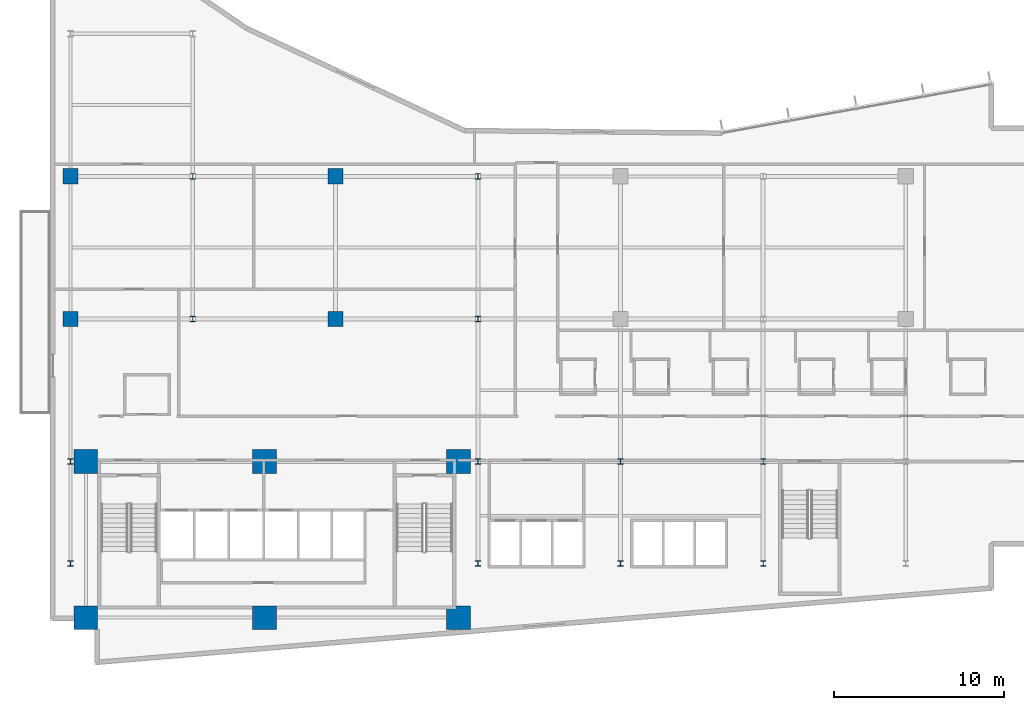
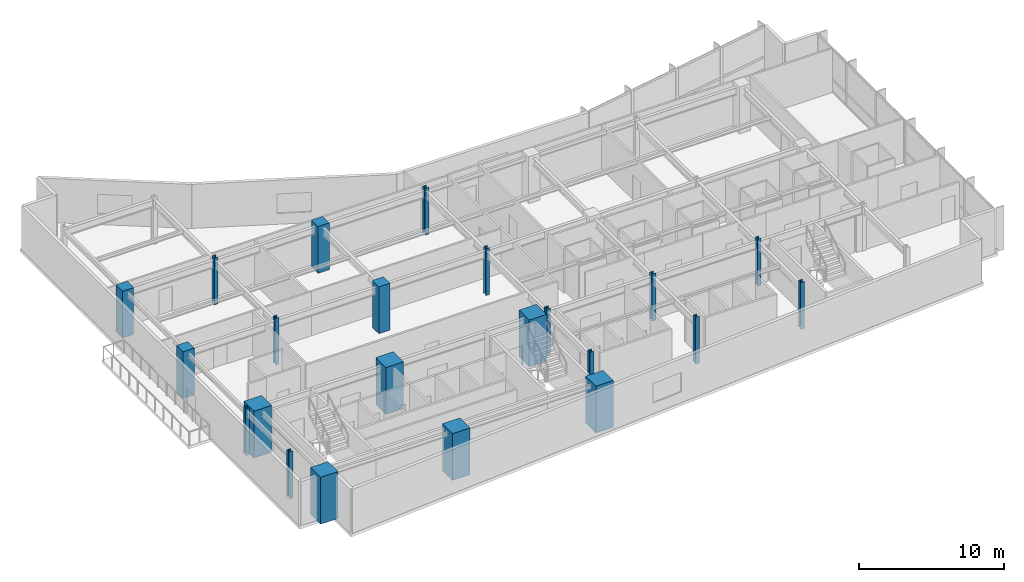
# One storey, part 1 of 19: 22 columns.
"""IFC4 building model written with IfcOpenShell, lengths in metres."""

import ifcopenshell
import ifcopenshell.guid

model = None  # the IFC model being written
_history = None  # IfcOwnerHistory: only IFC2X3 demands one
_inside = {}  # id of a spatial element -> (the spatial element, [elements in it])
_under = {}  # id of a project, library or spatial element -> (it, [spatial elements below it])
_declared = {}  # id of a project -> (the project, [libraries it declares])
_typed = {}  # id of a type object -> (the type object, [elements of that type])
_made_of = {}  # id of a material, layer set ... -> (it, [elements and type objects made of it])


def new_model(schema):
    """Start an empty IFC model of exactly this schema.

    Asked for "IFC4X3", IfcOpenShell would pick the latest addendum, in which some entities
    have other attributes; the version numbers below select the first issue.
    IFC2X3 requires an IfcOwnerHistory on every rooted entity: one is made here for all.
    """
    global model, _history
    if schema == "IFC4X3":
        model = ifcopenshell.file(schema_version=(4, 3, 0, 0))
    else:
        model = ifcopenshell.file(schema=schema)
    _inside.clear()
    _under.clear()
    _declared.clear()
    _typed.clear()
    _made_of.clear()
    _history = None
    if model.schema == "IFC2X3":
        org = make("IfcOrganization", Name="unknown")
        user = make(
            "IfcPersonAndOrganization",
            ThePerson=make("IfcPerson", FamilyName="unknown"),
            TheOrganization=org,
        )
        app = make(
            "IfcApplication",
            ApplicationDeveloper=org,
            Version="unknown",
            ApplicationFullName="unknown",
            ApplicationIdentifier="unknown",
        )
        _history = make(
            "IfcOwnerHistory",
            OwningUser=user,
            OwningApplication=app,
            ChangeAction="ADDED",
            CreationDate=0,
        )
    return model


def make(cls, **values):
    """One entity of the class cls with the attributes given. An attribute that is None is left unset."""
    return model.create_entity(
        cls, **{name: value for name, value in values.items() if value is not None}
    )


def rooted(cls, **values):
    """An entity with a GlobalId (a new one), such as an element, a storey or a relation."""
    return make(cls, GlobalId=ifcopenshell.guid.new(), OwnerHistory=_history, **values)


def si_unit(unit_type, name, prefix=None):
    """IfcSIUnit, for example si_unit("LENGTHUNIT", "METRE", prefix="MILLI")."""
    return make("IfcSIUnit", UnitType=unit_type, Prefix=prefix, Name=name)


def assignment(units):
    """IfcUnitAssignment: the units of a project."""
    return None if units is None else make("IfcUnitAssignment", Units=units)


def point(xyz):
    """IfcCartesianPoint."""
    return None if xyz is None else make("IfcCartesianPoint", Coordinates=xyz)


def direction(xyz):
    """IfcDirection."""
    return None if xyz is None else make("IfcDirection", DirectionRatios=xyz)


def frame(location, z_axis=None, x_axis=None):
    """IfcAxis2Placement3D, a coordinate frame: its origin and axes. An axis left out is left unset."""
    return make(
        "IfcAxis2Placement3D",
        Location=point(location),
        Axis=direction(z_axis),
        RefDirection=direction(x_axis),
    )


def frame_2d(location, x_axis=None):
    """IfcAxis2Placement2D, a coordinate frame in the plane: its origin and x axis."""
    return make(
        "IfcAxis2Placement2D", Location=point(location), RefDirection=direction(x_axis)
    )


def origin():
    """The frame at (0, 0, 0) with its axes left unset."""
    return frame((0.0, 0.0, 0.0))


def origin_2d():
    """The frame at (0, 0) in the plane with its x axis left unset."""
    return frame_2d((0.0, 0.0))


def place(relative_to, where):
    """IfcLocalPlacement: puts the frame where relative to a parent placement (None: the world)."""
    return make(
        "IfcLocalPlacement", PlacementRelTo=relative_to, RelativePlacement=where
    )


def context(
    kind, dimensions, precision=None, world=None, true_north=None, identifier=None
):
    """IfcGeometricRepresentationContext, for example the 3D "Model" context."""
    return make(
        "IfcGeometricRepresentationContext",
        ContextIdentifier=identifier,
        ContextType=kind,
        CoordinateSpaceDimension=dimensions,
        Precision=precision,
        WorldCoordinateSystem=world,
        TrueNorth=true_north,
    )


def subcontext(parent, identifier, kind, view, scale=None):
    """IfcGeometricRepresentationSubContext, for example "Body" below "Model"."""
    return make(
        "IfcGeometricRepresentationSubContext",
        ContextIdentifier=identifier,
        ContextType=kind,
        ParentContext=parent,
        TargetScale=scale,
        TargetView=view,
    )


def project(units=None, contexts=None):
    """IfcProject with its units and contexts."""
    return rooted(
        "IfcProject",
        Name="project",
        RepresentationContexts=contexts,
        UnitsInContext=assignment(units),
    )


def spatial(cls, under=None, at=None, **own):
    """A site, building, storey or space (cls), placed at a placement, below another one or the project."""
    s = rooted(cls, ObjectPlacement=at, **own)
    if under is not None:
        _under.setdefault(under.id(), (under, []))[1].append(s)
    return s


def profile(cls, at=None, kind="AREA", **sizes):
    """A parametric profile (cls). Its sizes go by their IFC names, for example OverallWidth=200.0."""
    return make(cls, ProfileType=kind, Position=at, **sizes)


def rectangle(**sizes):
    """IfcRectangleProfileDef."""
    return profile("IfcRectangleProfileDef", **sizes)


def i_section(**sizes):
    """IfcIShapeProfileDef."""
    return profile("IfcIShapeProfileDef", **sizes)


def extrude(swept, where, along, depth):
    """IfcExtrudedAreaSolid: the profile swept, set in the frame where, extruded along a direction by depth."""
    return make(
        "IfcExtrudedAreaSolid",
        SweptArea=swept,
        Position=where,
        ExtrudedDirection=direction(along),
        Depth=depth,
    )


def shape(context_of_items, identifier, shape_type, items):
    """IfcShapeRepresentation: the items that make up one representation, for example the "Body"."""
    return make(
        "IfcShapeRepresentation",
        ContextOfItems=context_of_items,
        RepresentationIdentifier=identifier,
        RepresentationType=shape_type,
        Items=items,
    )


def material(Name=None, Category=None):
    """IfcMaterial."""
    return make("IfcMaterial", Name=Name, Category=Category)


def material_profile(
    of_material, cross_section, Name=None, Category=None, Priority=None
):
    """IfcMaterialProfile: a cross section and its material."""
    return make(
        "IfcMaterialProfile",
        Name=Name,
        Material=of_material,
        Profile=cross_section,
        Priority=Priority,
        Category=Category,
    )


def profile_set(profiles, Name=None, composite=None):
    """IfcMaterialProfileSet."""
    return make(
        "IfcMaterialProfileSet",
        Name=Name,
        MaterialProfiles=profiles,
        CompositeProfile=composite,
    )


def made_of(thing, what):
    """Note that an element or type object is made of a material, layer set ...; save() writes the relation."""
    if what is not None:
        _made_of.setdefault(what.id(), (what, []))[1].append(thing)
    return thing


def type_object(cls, material=None, **own):
    """A type object (cls), such as IfcWallType, which elements share."""
    return made_of(rooted(cls, **own), material)


def element(
    cls,
    number,
    at=None,
    inside=None,
    cuts=None,
    type_object=None,
    material=None,
    context=None,
    identifier="Body",
    shape_type=None,
    held_by="IfcProductDefinitionShape",
    body=None,
    shapes=None,
    **own,
):
    """One element of the class cls, such as IfcWall. Its Tag is "e" and its number.

    at: its placement. inside: the storey or other place that contains it. cuts: it is an
    opening in that element (IfcRelVoidsElement). A single representation is given by context,
    identifier, shape_type and body (its items); several are given by shapes. held_by: the class
    of the entity that holds the representations. save() writes the other relations.
    """
    e = rooted(cls, Tag="e%d" % number, ObjectPlacement=at, **own)
    if body is not None:
        shapes = [shape(context, identifier, shape_type, body)]
    if shapes is not None:
        e.Representation = make(held_by, Representations=shapes)
    if inside is not None:
        _inside.setdefault(inside.id(), (inside, []))[1].append(e)
    if cuts is not None:
        rooted(
            "IfcRelVoidsElement", RelatingBuildingElement=cuts, RelatedOpeningElement=e
        )
    if type_object is not None:
        _typed.setdefault(type_object.id(), (type_object, []))[1].append(e)
    return made_of(e, material)


def aggregate(whole, parts):
    """IfcRelAggregates: a whole, such as a stair, and the parts it consists of."""
    return rooted("IfcRelAggregates", RelatingObject=whole, RelatedObjects=parts)


def save(model, path):
    """Write the relations noted so far, then the file.

    IfcRelAggregates (storeys below a building ...), IfcRelContainedInSpatialStructure (elements
    in a storey), IfcRelDefinesByType, IfcRelAssociatesMaterial and IfcRelDeclares: one each for
    every whole, place, type object, material and project.
    """
    for whole, parts in _under.values():
        aggregate(whole, parts)
    for where, things in _inside.values():
        rooted(
            "IfcRelContainedInSpatialStructure",
            RelatedElements=things,
            RelatingStructure=where,
        )
    for kind, things in _typed.values():
        rooted("IfcRelDefinesByType", RelatedObjects=things, RelatingType=kind)
    for what, things in _made_of.values():
        rooted("IfcRelAssociatesMaterial", RelatedObjects=things, RelatingMaterial=what)
    for by, libraries in _declared.values():
        rooted("IfcRelDeclares", RelatingContext=by, RelatedDefinitions=libraries)
    model.write(path)


model = new_model("IFC4")

# Units and contexts
model_context = context("Model", 3, precision=1e-05, world=origin(), true_north=direction((0.0, 1.0)))
body_context = subcontext(model_context, "Body", "Model", "MODEL_VIEW")
ifc_project = project(units=[si_unit("LENGTHUNIT", "METRE"), si_unit("AREAUNIT", "SQUARE_METRE"), si_unit("VOLUMEUNIT", "CUBIC_METRE"), si_unit("PLANEANGLEUNIT", "RADIAN"), si_unit("MASSUNIT", "GRAM", prefix="KILO")], contexts=[model_context])

# Site, building, storey
site_placement = place(None, origin())
site = spatial("IfcSite", under=ifc_project, at=site_placement, CompositionType="ELEMENT")
building_placement = place(site_placement, origin())
building = spatial("IfcBuilding", under=site, at=building_placement, Name="Varnakote Quay Hospital", CompositionType="ELEMENT")
storey_placement = place(building_placement, frame((0.0, 0.0, 85.699951171875)))
storey = spatial("IfcBuildingStorey", under=building, at=storey_placement, Name="L21", CompositionType="ELEMENT", Elevation=85.699951171875)

# Columns
ifc_material_1 = material(Name="Concrete N80 (f'c 80 MPa)", Category="concrete")
ifc_material_profile_1 = material_profile(ifc_material_1, rectangle(XDim=1.39990234375, YDim=1.39990234375, at=origin_2d()), Name="RC-COL-1400x1400")
ifc_profile_set_1 = profile_set([ifc_material_profile_1], Name="Concrete N80 (f'c 80 MPa)")
column_type_1 = type_object("IfcColumnType", Name="COL-RC-1400", PredefinedType="COLUMN", material=ifc_profile_set_1)
for number, where, z_axis, x_axis, name in (
    (1, (2.10009765625, 2.800048828125, 0.0), (0.0, 0.0, 1.0), (1.0, 0.0, 0.0), "L21 Structural Column C-2-3"),
    (2, (12.6201171875, 2.800048828125, 0.0), (0.0, 0.0, 1.0), (1.0, 0.0, 0.0), "L21 Structural Column C-13-3"),
    (3, (24.050048828125, 2.800048828125, 0.0), (0.0, 0.0, 1.0), (1.0, 0.0, 0.0), "L21 Structural Column C-24-3"),
    (4, (2.10009765625, 12.0, 0.0), (0.0, 0.0, 1.0), (1.0, 0.0, 0.0), "L21 Structural Column C-2-12"),
    (5, (12.6201171875, 12.0, 0.0), (0.0, 0.0, 1.0), (1.0, 0.0, 0.0), "L21 Structural Column C-13-12"),
    (6, (24.050048828125, 12.0, 0.0), (0.0, 0.0, 1.0), (1.0, 0.0, 0.0), "L21 Structural Column C-24-12"),
):
    element("IfcColumn", number, at=place(storey_placement, frame(where, z_axis=z_axis, x_axis=x_axis)), inside=storey, type_object=column_type_1, Name=name, PredefinedType="COLUMN", context=body_context, shape_type="SweptSolid", body=[
        extrude(rectangle(XDim=1.39990234375, YDim=1.39990234375, at=origin_2d()), origin(), (0.0, 0.0, 1.0), 3.949951171875),
    ])
ifc_material_2 = material(Name="Concrete N50 (f'c 50 MPa)", Category="concrete")
ifc_material_profile_2 = material_profile(ifc_material_2, rectangle(XDim=0.89990234375, YDim=0.89990234375, at=origin_2d()), Name="RC-COL-900x900")
ifc_profile_set_2 = profile_set([ifc_material_profile_2], Name="Concrete N50 (f'c 50 MPa)")
column_type_2 = type_object("IfcColumnType", Name="COL-RC-900", PredefinedType="COLUMN", material=ifc_profile_set_2)
for number, where, z_axis, x_axis, name in (
    (7, (1.199951171875, 20.39990234375, 0.0), (0.0, 0.0, 1.0), (1.0, 0.0, 0.0), "L21 Structural Column C-1-20"),
    (8, (16.800048828125, 20.39990234375, 0.0), (0.0, 0.0, 1.0), (1.0, 0.0, 0.0), "L21 Structural Column C-17-20"),
    (9, (1.199951171875, 28.800048828125, 0.0), (0.0, 0.0, 1.0), (1.0, 0.0, 0.0), "L21 Structural Column C-1-29"),
    (10, (16.800048828125, 28.800048828125, 0.0), (0.0, 0.0, 1.0), (1.0, 0.0, 0.0), "L21 Structural Column C-17-29"),
):
    element("IfcColumn", number, at=place(storey_placement, frame(where, z_axis=z_axis, x_axis=x_axis)), inside=storey, type_object=column_type_2, Name=name, PredefinedType="COLUMN", context=body_context, shape_type="SweptSolid", body=[
        extrude(rectangle(XDim=0.89990234375, YDim=0.89990234375, at=origin_2d()), origin(), (0.0, 0.0, 1.0), 3.949951171875),
    ])
ifc_material_3 = material(Name="Structural steel AS/NZS 3679.1 Grade 350 L0 (fy 340 MPa)", Category="steel")
ifc_material_profile_3 = material_profile(ifc_material_3, i_section(OverallWidth=0.31103515625, OverallDepth=0.326904296875, WebThickness=0.015625, FlangeThickness=0.02490234375, FilletRadius=0.0166015625, at=origin_2d()), Name="310UC158")
ifc_profile_set_3 = profile_set([ifc_material_profile_3], Name="Structural steel AS/NZS 3679.1 Grade 350 L0 (fy 340 MPa)")
column_type_3 = type_object("IfcColumnType", Name="COL-STL-310UC158", PredefinedType="COLUMN", material=ifc_profile_set_3)
for number, where, z_axis, x_axis, name in (
    (11, (1.199951171875, 6.0, 0.0), (0.0, 0.0, 1.0), (1.0, 0.0, 0.0), "L21 Structural Column C-1-6"),
    (12, (25.199951171875, 6.0, 0.0), (0.0, 0.0, 1.0), (1.0, 0.0, 0.0), "L21 Structural Column C-25-6"),
    (13, (33.60009765625, 6.0, 0.0), (0.0, 0.0, 1.0), (1.0, 0.0, 0.0), "L21 Structural Column C-34-6"),
    (14, (42.0, 6.0, 0.0), (0.0, 0.0, 1.0), (1.0, 0.0, 0.0), "L21 Structural Column C-42-6"),
    (15, (1.199951171875, 12.0, 0.0), (0.0, 0.0, 1.0), (1.0, 0.0, 0.0), "L21 Structural Column C-1-12"),
    (16, (25.199951171875, 12.0, 0.0), (0.0, 0.0, 1.0), (1.0, 0.0, 0.0), "L21 Structural Column C-25-12"),
    (17, (33.60009765625, 12.0, 0.0), (0.0, 0.0, 1.0), (1.0, 0.0, 0.0), "L21 Structural Column C-34-12"),
    (18, (42.0, 12.0, 0.0), (0.0, 0.0, 1.0), (1.0, 0.0, 0.0), "L21 Structural Column C-42-12"),
    (19, (8.39990234375, 20.39990234375, 0.0), (0.0, 0.0, 1.0), (1.0, 0.0, 0.0), "L21 Structural Column C-8-20"),
    (20, (25.199951171875, 20.39990234375, 0.0), (0.0, 0.0, 1.0), (1.0, 0.0, 0.0), "L21 Structural Column C-25-20"),
    (21, (8.39990234375, 28.800048828125, 0.0), (0.0, 0.0, 1.0), (1.0, 0.0, 0.0), "L21 Structural Column C-8-29"),
    (22, (25.199951171875, 28.800048828125, 0.0), (0.0, 0.0, 1.0), (1.0, 0.0, 0.0), "L21 Structural Column C-25-29"),
):
    element("IfcColumn", number, at=place(storey_placement, frame(where, z_axis=z_axis, x_axis=x_axis)), inside=storey, type_object=column_type_3, Name=name, PredefinedType="COLUMN", context=body_context, shape_type="SweptSolid", body=[
        extrude(i_section(OverallWidth=0.31103515625, OverallDepth=0.326904296875, WebThickness=0.015625, FlangeThickness=0.02490234375, FilletRadius=0.0166015625, at=origin_2d()), origin(), (0.0, 0.0, 1.0), 3.949951171875),
    ])

save(model, "model.ifc")
